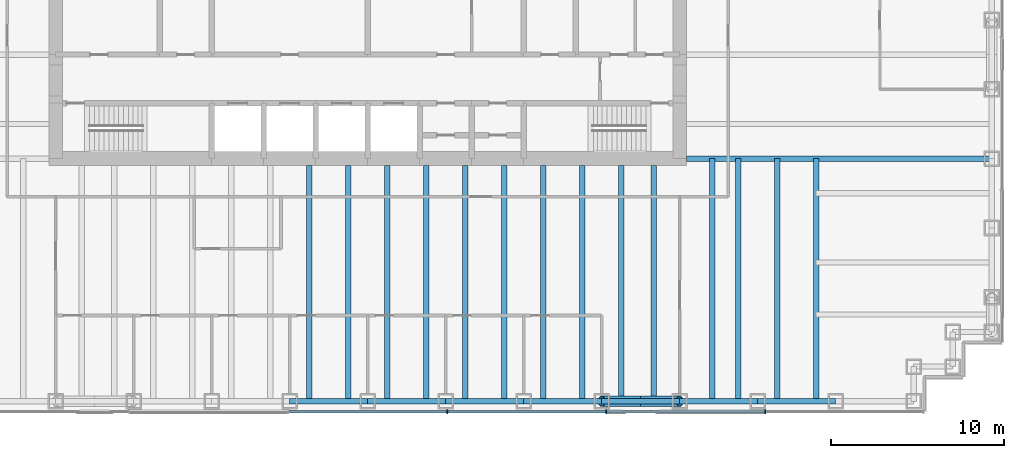
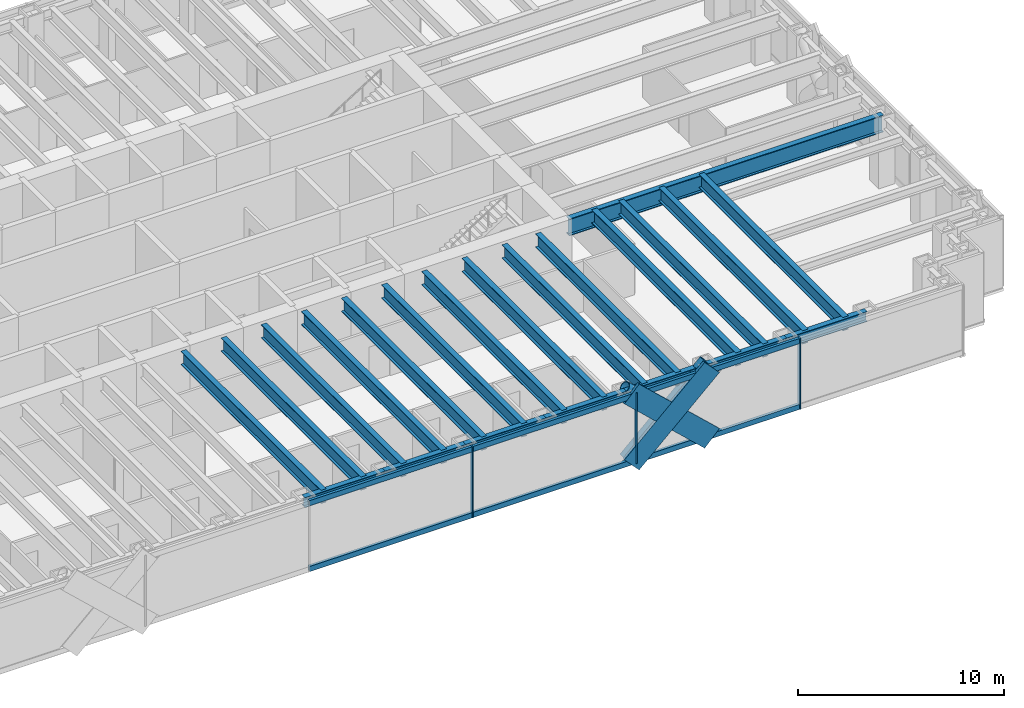
# One storey, part 3 of 14: 22 beams, 13 members, 1 element without a shape of its own.
"""IFC4 building model written with IfcOpenShell, lengths in metres."""

from ifc_helpers import new_model, si_unit, direction, frame, origin, origin_2d, place, context, subcontext, project, spatial, rectangle, hollow_circle, i_section, extrude, material, material_profile, profile_set, type_object, element, aggregate, save


model = new_model("IFC4")

# Units and contexts
model_context = context("Model", 3, precision=1e-05, world=origin(), true_north=direction((0.0, 1.0)))
body_context = subcontext(model_context, "Body", "Model", "MODEL_VIEW")
ifc_project = project(units=[si_unit("LENGTHUNIT", "METRE"), si_unit("AREAUNIT", "SQUARE_METRE"), si_unit("VOLUMEUNIT", "CUBIC_METRE"), si_unit("PLANEANGLEUNIT", "RADIAN"), si_unit("MASSUNIT", "GRAM", prefix="KILO")], contexts=[model_context])

# Site, building, storey
site_placement = place(None, origin())
site = spatial("IfcSite", under=ifc_project, at=site_placement, CompositionType="ELEMENT")
building_placement = place(site_placement, origin())
building = spatial("IfcBuilding", under=site, at=building_placement, Name="Rheinbord Bourse Tower", CompositionType="ELEMENT")
storey_placement = place(building_placement, frame((0.0, 0.0, 198.39990234375)))
storey = spatial("IfcBuildingStorey", under=building, at=storey_placement, Name="L44", CompositionType="ELEMENT", Elevation=198.39990234375)

# Curtain wall, members
ifc_material_1 = material(Name="Dark glass and black aluminium", Category="aluminium")
curtain_wall_type = type_object("IfcCurtainWallType", Name="CW2 DARK GLASS CURTAIN WALL", PredefinedType="USERDEFINED", material=ifc_material_1)
curtain_wall_placement = place(storey_placement, origin())
curtain_wall = element("IfcCurtainWall", 1, at=curtain_wall_placement, inside=storey, type_object=curtain_wall_type, Name="Curtain wall CW2 S L44", ObjectType="UNITISED CURTAIN WALL", PredefinedType="USERDEFINED")
ifc_material_2 = material(Name="Black anodised aluminium", Category="aluminium")
ifc_material_profile_1 = material_profile(ifc_material_2, rectangle(XDim=0.159912109375, YDim=1.2099609375, at=origin_2d()), Name="CW2 DIAGONAL MULLION 1210x160")
ifc_profile_set_1 = profile_set([ifc_material_profile_1], Name="Black anodised aluminium")
member_type_1 = type_object("IfcMemberType", Name="CW2 BLACK DIAGONAL MULLION", PredefinedType="USERDEFINED", material=ifc_profile_set_1)
member_1_placement = place(storey_placement, frame((54.0, 1.39990234375, 0.0), z_axis=(-0.731039441158, 0.0, 0.682335207557), x_axis=(0.0, -1.0, 0.0)))
member_1 = element("IfcMember", 2, at=member_1_placement, type_object=member_type_1, Name="CW2 diagonal mullion a", ObjectType="DIAGONAL MULLION", PredefinedType="USERDEFINED", context=body_context, shape_type="SweptSolid", body=[
    extrude(rectangle(XDim=0.159912109375, YDim=1.2099609375, at=origin_2d()), origin(), (0.0, 0.0, 1.0), 6.155517578125),
])
member_2_placement = place(storey_placement, frame((49.5, 1.39990234375, 0.0), z_axis=(0.731039441158, 0.0, 0.682335207557), x_axis=(0.0, 1.0, 0.0)))
member_2 = element("IfcMember", 3, at=member_2_placement, type_object=member_type_1, Name="CW2 diagonal mullion d", ObjectType="DIAGONAL MULLION", PredefinedType="USERDEFINED", context=body_context, shape_type="SweptSolid", body=[
    extrude(rectangle(XDim=0.159912109375, YDim=1.2099609375, at=origin_2d()), origin(), (0.0, 0.0, 1.0), 6.155517578125),
])
ifc_material_3 = material(Name="Black anodised aluminium", Category="aluminium")
ifc_material_profile_2 = material_profile(ifc_material_3, rectangle(XDim=0.219970703125, YDim=0.070068359375, at=origin_2d()), Name="CW2 MULLION 70x220")
ifc_profile_set_2 = profile_set([ifc_material_profile_2], Name="Black anodised aluminium")
member_type_2 = type_object("IfcMemberType", Name="CW2 BLACK MULLION", PredefinedType="MULLION", material=ifc_profile_set_2)
member_3_placement = place(storey_placement, frame((40.585693359375, 1.39990234375, 0.0), z_axis=(0.0, 0.0, 1.0), x_axis=(0.0, 1.0, 0.0)))
member_3 = element("IfcMember", 4, at=member_3_placement, type_object=member_type_2, Name="CW2 mullion 5", PredefinedType="MULLION", context=body_context, shape_type="SweptSolid", body=[
    extrude(rectangle(XDim=0.219970703125, YDim=0.070068359375, at=origin_2d()), origin(), (0.0, 0.0, 1.0), 4.2001953125),
])
member_4_placement = place(storey_placement, frame((49.757080078125, 1.39990234375, 0.0), z_axis=(0.0, 0.0, 1.0), x_axis=(0.0, 1.0, 0.0)))
member_4 = element("IfcMember", 5, at=member_4_placement, type_object=member_type_2, Name="CW2 mullion 6", PredefinedType="MULLION", context=body_context, shape_type="SweptSolid", body=[
    extrude(rectangle(XDim=0.219970703125, YDim=0.070068359375, at=origin_2d()), origin(), (0.0, 0.0, 1.0), 4.2001953125),
])
member_5_placement = place(storey_placement, frame((58.928466796875, 1.39990234375, 0.0), z_axis=(0.0, 0.0, 1.0), x_axis=(0.0, 1.0, 0.0)))
member_5 = element("IfcMember", 6, at=member_5_placement, type_object=member_type_2, Name="CW2 mullion 7", PredefinedType="MULLION", context=body_context, shape_type="SweptSolid", body=[
    extrude(rectangle(XDim=0.219970703125, YDim=0.070068359375, at=origin_2d()), origin(), (0.0, 0.0, 1.0), 4.2001953125),
])
ifc_material_4 = material(Name="Black anodised aluminium", Category="aluminium")
ifc_material_profile_3 = material_profile(ifc_material_4, rectangle(XDim=0.159912109375, YDim=0.300048828125, at=origin_2d()), Name="CW2 TRANSOM 300x160")
ifc_profile_set_3 = profile_set([ifc_material_profile_3], Name="Black anodised aluminium")
member_type_3 = type_object("IfcMemberType", Name="CW2 BLACK TRANSOM", PredefinedType="USERDEFINED", material=ifc_profile_set_3)
member_6_placement = place(storey_placement, frame((31.44921875, 1.39990234375, 0.150146484375), z_axis=(1.0, 0.0, 0.0), x_axis=(0.0, 1.0, 0.0)))
member_6 = element("IfcMember", 7, at=member_6_placement, type_object=member_type_3, Name="CW2 transom 4.1", ObjectType="TRANSOM", PredefinedType="USERDEFINED", context=body_context, shape_type="SweptSolid", body=[
    extrude(rectangle(XDim=0.159912109375, YDim=0.300048828125, at=origin_2d()), origin(), (0.0, 0.0, 1.0), 9.1015625),
])
member_7_placement = place(storey_placement, frame((31.44921875, 1.39990234375, 4.050048828125), z_axis=(1.0, 0.0, 0.0), x_axis=(0.0, 1.0, 0.0)))
member_7 = element("IfcMember", 8, at=member_7_placement, type_object=member_type_3, Name="CW2 transom 4.2", ObjectType="TRANSOM", PredefinedType="USERDEFINED", context=body_context, shape_type="SweptSolid", body=[
    extrude(rectangle(XDim=0.159912109375, YDim=0.300048828125, at=origin_2d()), origin(), (0.0, 0.0, 1.0), 9.1015625),
])
member_8_placement = place(storey_placement, frame((40.62060546875, 1.39990234375, 0.150146484375), z_axis=(1.0, 0.0, 0.0), x_axis=(0.0, 1.0, 0.0)))
member_8 = element("IfcMember", 9, at=member_8_placement, type_object=member_type_3, Name="CW2 transom 5.1", ObjectType="TRANSOM", PredefinedType="USERDEFINED", context=body_context, shape_type="SweptSolid", body=[
    extrude(rectangle(XDim=0.159912109375, YDim=0.300048828125, at=origin_2d()), origin(), (0.0, 0.0, 1.0), 9.1015625),
])
member_9_placement = place(storey_placement, frame((40.62060546875, 1.39990234375, 4.050048828125), z_axis=(1.0, 0.0, 0.0), x_axis=(0.0, 1.0, 0.0)))
member_9 = element("IfcMember", 10, at=member_9_placement, type_object=member_type_3, Name="CW2 transom 5.2", ObjectType="TRANSOM", PredefinedType="USERDEFINED", context=body_context, shape_type="SweptSolid", body=[
    extrude(rectangle(XDim=0.159912109375, YDim=0.300048828125, at=origin_2d()), origin(), (0.0, 0.0, 1.0), 9.1015625),
])
member_10_placement = place(storey_placement, frame((49.792236328125, 1.39990234375, 0.150146484375), z_axis=(1.0, 0.0, 0.0), x_axis=(0.0, 1.0, 0.0)))
member_10 = element("IfcMember", 11, at=member_10_placement, type_object=member_type_3, Name="CW2 transom 6.1", ObjectType="TRANSOM", PredefinedType="USERDEFINED", context=body_context, shape_type="SweptSolid", body=[
    extrude(rectangle(XDim=0.159912109375, YDim=0.300048828125, at=origin_2d()), origin(), (0.0, 0.0, 1.0), 9.101318359375),
])
member_11_placement = place(storey_placement, frame((49.792236328125, 1.39990234375, 4.050048828125), z_axis=(1.0, 0.0, 0.0), x_axis=(0.0, 1.0, 0.0)))
member_11 = element("IfcMember", 12, at=member_11_placement, type_object=member_type_3, Name="CW2 transom 6.2", ObjectType="TRANSOM", PredefinedType="USERDEFINED", context=body_context, shape_type="SweptSolid", body=[
    extrude(rectangle(XDim=0.159912109375, YDim=0.300048828125, at=origin_2d()), origin(), (0.0, 0.0, 1.0), 9.101318359375),
])
aggregate(curtain_wall, [member_3, member_4, member_5, member_6, member_7, member_8, member_9, member_10, member_11, member_1, member_2])

# Beams
ifc_material_5 = material(Name="Steel S460", Category="steel")
ifc_material_profile_4 = material_profile(ifc_material_5, i_section(OverallWidth=0.300048828125, OverallDepth=0.800048828125, WebThickness=0.017578125, FlangeThickness=0.032958984375, at=origin_2d()), Name="HEB 800")
ifc_profile_set_4 = profile_set([ifc_material_profile_4], Name="Steel S460")
beam_type_1 = type_object("IfcBeamType", Name="FLOOR BEAM HEB 800", PredefinedType="BEAM", material=ifc_profile_set_4)
for number, where, z_axis, x_axis, name in (
    (13, (32.625, 2.0, 3.64013671875), (0.0, 1.0, 0.0), (-1.0, 0.0, 0.0), "Floor beam S-31.5a L45"),
    (14, (34.875, 2.0, 3.64013671875), (0.0, 1.0, 0.0), (-1.0, 0.0, 0.0), "Floor beam S-31.5b L45"),
    (15, (37.125, 2.0, 3.64013671875), (0.0, 1.0, 0.0), (-1.0, 0.0, 0.0), "Floor beam S-36a L45"),
    (16, (39.375, 2.0, 3.64013671875), (0.0, 1.0, 0.0), (-1.0, 0.0, 0.0), "Floor beam S-36b L45"),
    (17, (41.625, 2.0, 3.64013671875), (0.0, 1.0, 0.0), (-1.0, 0.0, 0.0), "Floor beam S-40.5a L45"),
    (18, (43.875, 2.0, 3.64013671875), (0.0, 1.0, 0.0), (-1.0, 0.0, 0.0), "Floor beam S-40.5b L45"),
    (19, (46.125, 2.0, 3.64013671875), (0.0, 1.0, 0.0), (-1.0, 0.0, 0.0), "Floor beam S-45a L45"),
    (20, (48.375, 2.0, 3.64013671875), (0.0, 1.0, 0.0), (-1.0, 0.0, 0.0), "Floor beam S-45b L45"),
    (21, (50.625, 2.0, 3.64013671875), (0.0, 1.0, 0.0), (-1.0, 0.0, 0.0), "Floor beam S-49.5a L45"),
    (22, (52.5, 2.0, 3.64013671875), (0.0, 1.0, 0.0), (-1.0, 0.0, 0.0), "Floor beam S-49.5b L45"),
):
    element("IfcBeam", number, at=place(storey_placement, frame(where, z_axis=z_axis, x_axis=x_axis)), inside=storey, type_object=beam_type_1, Name=name, PredefinedType="BEAM", context=body_context, shape_type="SweptSolid", body=[
        extrude(i_section(OverallWidth=0.300048828125, OverallDepth=0.800048828125, WebThickness=0.017578125, FlangeThickness=0.032958984375, at=origin_2d()), origin(), (0.0, 0.0, 1.0), 13.60009765625),
    ])
for number, where, z_axis, x_axis, name in (
    (23, (55.875, 2.0, 3.64013671875), (0.0, 1.0, 0.0), (-1.0, 0.0, 0.0), "Floor beam S-54a L45"),
    (24, (57.375, 2.0, 3.64013671875), (0.0, 1.0, 0.0), (-1.0, 0.0, 0.0), "Floor beam S-54b L45"),
    (25, (59.625, 2.0, 3.64013671875), (0.0, 1.0, 0.0), (-1.0, 0.0, 0.0), "Floor beam S-58.5a L45"),
    (26, (61.875, 2.0, 3.64013671875), (0.0, 1.0, 0.0), (-1.0, 0.0, 0.0), "Floor beam S-58.5b L45"),
):
    element("IfcBeam", number, at=place(storey_placement, frame(where, z_axis=z_axis, x_axis=x_axis)), inside=storey, type_object=beam_type_1, Name=name, PredefinedType="BEAM", context=body_context, shape_type="SweptSolid", body=[
        extrude(i_section(OverallWidth=0.300048828125, OverallDepth=0.800048828125, WebThickness=0.017578125, FlangeThickness=0.032958984375, at=origin_2d()), origin(), (0.0, 0.0, 1.0), 14.0),
    ])
ifc_material_6 = material(Name="Steel S460", Category="steel")
ifc_material_profile_5 = material_profile(ifc_material_6, i_section(OverallWidth=0.302001953125, OverallDepth=1.008056640625, WebThickness=0.02099609375, FlangeThickness=0.0400390625, at=origin_2d()), Name="HEM 1000")
ifc_profile_set_5 = profile_set([ifc_material_profile_5], Name="Steel S460")
beam_type_2 = type_object("IfcBeamType", Name="GIRDER HEM 1000", PredefinedType="BEAM", material=ifc_profile_set_5)
beam_placement = place(storey_placement, frame((54.39990234375, 16.0, 3.5361328125), z_axis=(1.0, 0.0, 0.0), x_axis=(0.0, 1.0, 0.0)))
element("IfcBeam", 27, at=beam_placement, inside=storey, type_object=beam_type_2, Name="Girder east 16 L45", PredefinedType="BEAM", context=body_context, shape_type="SweptSolid", body=[
    extrude(i_section(OverallWidth=0.302001953125, OverallDepth=1.008056640625, WebThickness=0.02099609375, FlangeThickness=0.0400390625, at=origin_2d()), origin(), (0.0, 0.0, 1.0), 17.60009765625),
])

# Members
ifc_material_7 = material(Name="Steel S460", Category="steel")
ifc_material_profile_6 = material_profile(ifc_material_7, hollow_circle(Radius=0.304931640625, WallThickness=0.0400390625, at=origin_2d()), Name="CHS 610x40")
ifc_profile_set_6 = profile_set([ifc_material_profile_6], Name="Steel S460")
member_type_4 = type_object("IfcMemberType", Name="MEGABRACE CHS 610x40", PredefinedType="BRACE", material=ifc_profile_set_6)
for number, where, z_axis, x_axis, name in (
    (28, (54.0, 2.0, 0.0), (-0.731039441158, 0.0, 0.682335207557), (0.0, -1.0, 0.0), "Megabrace S face line a L44"),
    (29, (49.5, 2.0, 0.0), (0.731039441158, 0.0, 0.682335207557), (0.0, 1.0, 0.0), "Megabrace S face line d L44"),
):
    element("IfcMember", number, at=place(storey_placement, frame(where, z_axis=z_axis, x_axis=x_axis)), inside=storey, type_object=member_type_4, Name=name, PredefinedType="BRACE", context=body_context, shape_type="SweptSolid", body=[
        extrude(hollow_circle(Radius=0.304931640625, WallThickness=0.0400390625, at=origin_2d()), origin(), (0.0, 0.0, 1.0), 6.155517578125),
    ])

# Beams
ifc_material_8 = material(Name="Steel S460", Category="steel")
ifc_material_profile_7 = material_profile(ifc_material_8, i_section(OverallWidth=0.300048828125, OverallDepth=0.60009765625, WebThickness=0.015380859375, FlangeThickness=0.030029296875, at=origin_2d()), Name="HEB 600")
ifc_profile_set_7 = profile_set([ifc_material_profile_7], Name="Steel S460")
beam_type_3 = type_object("IfcBeamType", Name="SPANDREL HEB 600", PredefinedType="SPANDREL", material=ifc_profile_set_7)
for number, where, z_axis, x_axis, name in (
    (30, (31.5, 2.0, 3.739990234375), (1.0, 0.0, 0.0), (0.0, 1.0, 0.0), "Spandrel S-31.5-S-36 under L45"),
    (31, (36.0, 2.0, 3.739990234375), (1.0, 0.0, 0.0), (0.0, 1.0, 0.0), "Spandrel S-36-S-40.5 under L45"),
    (32, (40.5, 2.0, 3.739990234375), (1.0, 0.0, 0.0), (0.0, 1.0, 0.0), "Spandrel S-40.5-S-45 under L45"),
    (33, (45.0, 2.0, 3.739990234375), (1.0, 0.0, 0.0), (0.0, 1.0, 0.0), "Spandrel S-45-S-49.5 under L45"),
    (34, (49.5, 2.0, 3.739990234375), (1.0, 0.0, 0.0), (0.0, 1.0, 0.0), "Spandrel S-49.5-S-54 under L45"),
    (35, (54.0, 2.0, 3.739990234375), (1.0, 0.0, 0.0), (0.0, 1.0, 0.0), "Spandrel S-54-S-58.5 under L45"),
    (36, (58.5, 2.0, 3.739990234375), (1.0, 0.0, 0.0), (0.0, 1.0, 0.0), "Spandrel S-58.5-S-63 under L45"),
):
    element("IfcBeam", number, at=place(storey_placement, frame(where, z_axis=z_axis, x_axis=x_axis)), inside=storey, type_object=beam_type_3, Name=name, PredefinedType="SPANDREL", context=body_context, shape_type="SweptSolid", body=[
        extrude(i_section(OverallWidth=0.300048828125, OverallDepth=0.60009765625, WebThickness=0.015380859375, FlangeThickness=0.030029296875, at=origin_2d()), origin(), (0.0, 0.0, 1.0), 4.5),
    ])

save(model, "model.ifc")
